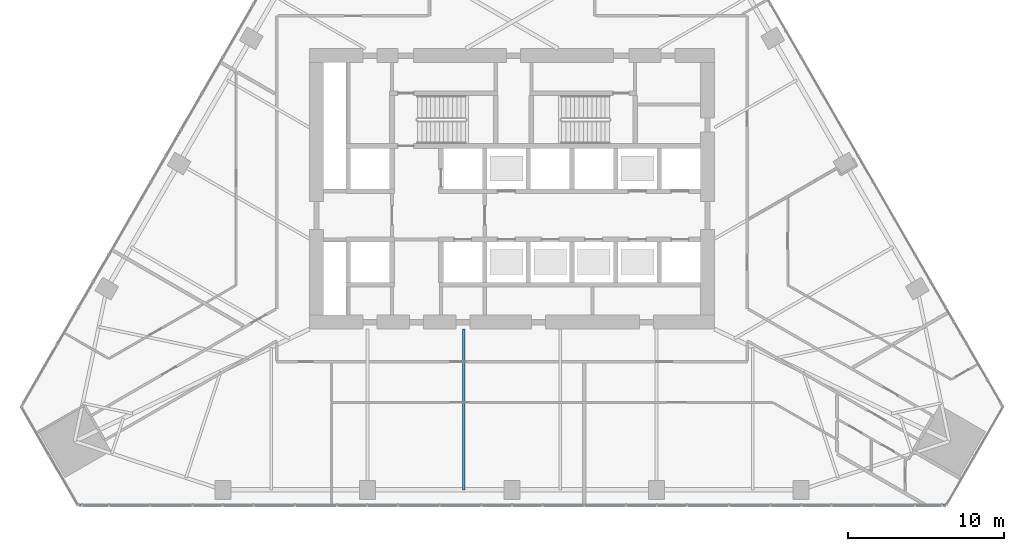
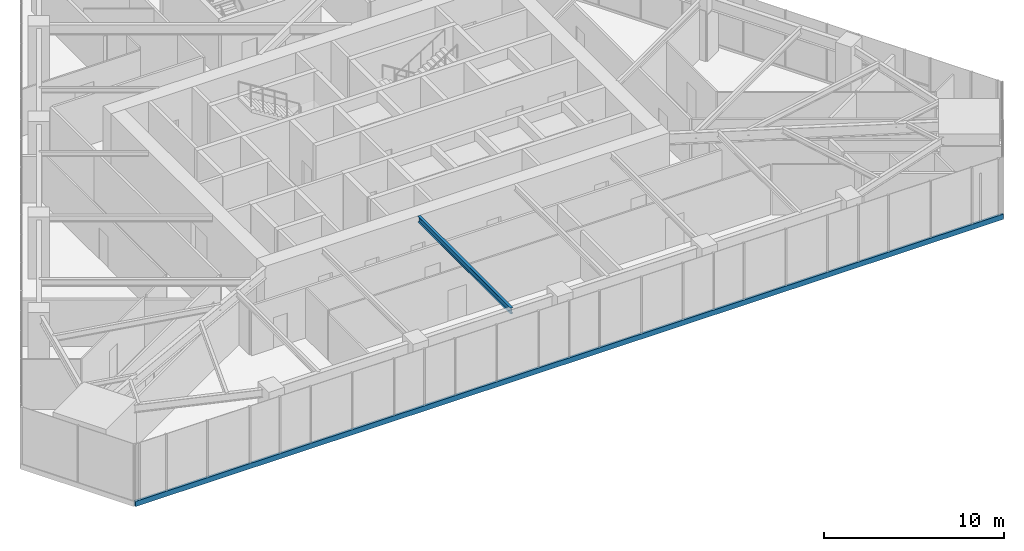
# One storey, part 3 of 22: 1 beam, 1 member, 1 element without a shape of its own.
"""IFC4 building model written with IfcOpenShell, lengths in metres."""

from ifc_helpers import new_model, si_unit, direction, frame, origin, origin_2d, place, context, subcontext, project, spatial, rectangle, i_section, extrude, material, layer, layer_set, material_profile, profile_set, type_object, element, aggregate, save


model = new_model("IFC4")

# Units and contexts
model_context = context("Model", 3, precision=1e-05, world=origin(), true_north=direction((0.0, 1.0)))
body_context = subcontext(model_context, "Body", "Model", "MODEL_VIEW")
ifc_project = project(units=[si_unit("LENGTHUNIT", "METRE"), si_unit("AREAUNIT", "SQUARE_METRE"), si_unit("VOLUMEUNIT", "CUBIC_METRE"), si_unit("PLANEANGLEUNIT", "RADIAN"), si_unit("MASSUNIT", "GRAM", prefix="KILO")], contexts=[model_context])

# Site, building, storey
site_placement = place(None, origin())
site = spatial("IfcSite", under=ifc_project, at=site_placement, CompositionType="ELEMENT")
building_placement = place(site_placement, origin())
building = spatial("IfcBuilding", under=site, at=building_placement, Name="Firuza Gate Tower and Library", CompositionType="ELEMENT")
storey_placement = place(building_placement, frame((0.0, 0.0, 128.199951171875)))
storey = spatial("IfcBuildingStorey", under=building, at=storey_placement, Name="L29", CompositionType="ELEMENT", Elevation=128.199951171875)

# Curtain wall, member
ifc_material_1 = material(Name="Aluminium 6063-T6", Category="aluminium")
ifc_layer = layer(ifc_material_1, 0.14990234375)
ifc_layer_set = layer_set([ifc_layer], Name="Unitised curtain wall, offices")
curtain_wall_type = type_object("IfcCurtainWallType", Name="Unitised curtain wall, offices", PredefinedType="NOTDEFINED", material=ifc_layer_set)
curtain_wall_placement = place(storey_placement, origin())
curtain_wall = element("IfcCurtainWall", 1, at=curtain_wall_placement, inside=storey, type_object=curtain_wall_type, Name="CW1 L29 S face", PredefinedType="NOTDEFINED")
ifc_material_2 = material(Name="Aluminium 6063-T6", Category="aluminium")
ifc_material_profile_1 = material_profile(ifc_material_2, rectangle(XDim=0.14990234375, YDim=0.35009765625, at=origin_2d()))
ifc_profile_set_1 = profile_set([ifc_material_profile_1], Name="Aluminium 6063-T6")
member_type = type_object("IfcMemberType", Name="Curtain wall transom 350x150", PredefinedType="USERDEFINED", material=ifc_profile_set_1)
member_placement = place(storey_placement, frame((47.139892578125, 54.7080078125, -0.02490234375), z_axis=(1.0, 0.0, 0.0), x_axis=(0.0, 1.0, 0.0)))
member = element("IfcMember", 2, at=member_placement, type_object=member_type, Name="Transom", ObjectType="TRANSOM", PredefinedType="USERDEFINED", context=body_context, shape_type="SweptSolid", body=[
    extrude(rectangle(XDim=0.14990234375, YDim=0.35009765625, at=origin_2d()), origin(), (0.0, 0.0, 1.0), 55.72021484375),
])
aggregate(curtain_wall, [member])

# Beam
ifc_material_3 = material(Name="Steel S355", Category="steel")
ifc_material_profile_2 = material_profile(ifc_material_3, i_section(OverallWidth=0.177978515625, OverallDepth=0.406982421875, WebThickness=0.0078125, FlangeThickness=0.0126953125, at=origin_2d()))
ifc_profile_set_2 = profile_set([ifc_material_profile_2], Name="Steel S355")
beam_type = type_object("IfcBeamType", Name="W410x60 Floor beam", PredefinedType="JOIST", material=ifc_profile_set_2)
beam_placement = place(storey_placement, frame((71.9091796875, 55.68310546875, 3.796630859375), z_axis=(0.0, 1.0, 0.0), x_axis=(-1.0, 0.0, 0.0)))
element("IfcBeam", 3, at=beam_placement, inside=storey, type_object=beam_type, Name="Floor beam L29 s22", PredefinedType="JOIST", context=body_context, shape_type="SweptSolid", body=[
    extrude(i_section(OverallWidth=0.177978515625, OverallDepth=0.406982421875, WebThickness=0.0078125, FlangeThickness=0.0126953125, at=origin_2d()), origin(), (0.0, 0.0, 1.0), 10.31689453125),
])

save(model, "model.ifc")
